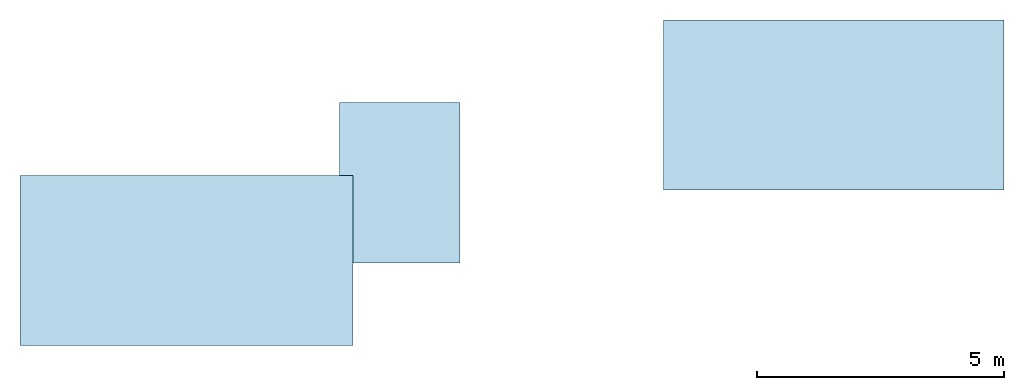
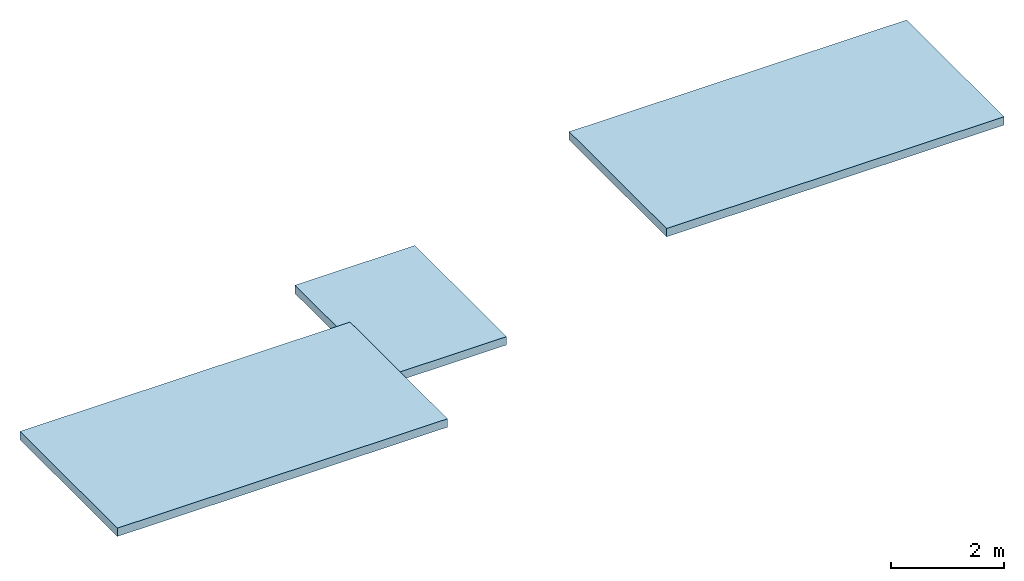
# One storey: 3 slabs.
"""IFC4 building model written with IfcOpenShell, lengths in metres."""

from ifc_helpers import new_model, si_unit, direction, frame, origin, place, context, subcontext, project, spatial, polyline, outline, extrude, material, layer, layer_set, type_object, element, save


model = new_model("IFC4")

# Units and contexts
model_context = context("Model", 3, precision=1e-05, world=origin(), true_north=direction((0.0, 1.0)))
body_context = subcontext(model_context, "Body", "Model", "MODEL_VIEW")
ifc_project = project(units=[si_unit("LENGTHUNIT", "METRE"), si_unit("AREAUNIT", "SQUARE_METRE"), si_unit("VOLUMEUNIT", "CUBIC_METRE"), si_unit("PLANEANGLEUNIT", "RADIAN"), si_unit("MASSUNIT", "GRAM", prefix="KILO")], contexts=[model_context])

# Site, building, storey
site_placement = place(None, origin())
site = spatial("IfcSite", under=ifc_project, at=site_placement, CompositionType="ELEMENT")
building_placement = place(site_placement, origin())
building = spatial("IfcBuilding", under=site, at=building_placement, Name="Kernevlak Ridge Housing Community", CompositionType="ELEMENT")
storey_placement = place(building_placement, frame((0.0, 0.0, 62.60009765625)))
storey = spatial("IfcBuildingStorey", under=building, at=storey_placement, Name="UPPER ROOF", CompositionType="ELEMENT", Elevation=62.60009765625)

# Slabs
ifc_material = material(Name="Concrete C35/45", Category="concrete")
ifc_layer = layer(ifc_material, 0.179931640625, Name="Concrete C35/45")
ifc_layer_set = layer_set([ifc_layer], Name="Concrete C35/45")
slab_type = type_object("IfcSlabType", Name="SL-09", PredefinedType="ROOF", material=ifc_layer_set)
slab_1_placement = place(storey_placement, frame((0.0, 0.0, -0.18017578125)))
element("IfcSlab", 1, at=slab_1_placement, inside=storey, type_object=slab_type, Name="Block A stair 1 head-house roof slab", PredefinedType="ROOF", context=body_context, shape_type="SweptSolid", body=[
    extrude(outline(polyline([(15.60009765625, 82.60009765625), (22.35009765625, 82.60009765625), (22.35009765625, 86.050048828125), (15.60009765625, 86.050048828125), (15.60009765625, 82.60009765625)])), origin(), (0.0, 0.0, 1.0), 0.18017578125),
])
slab_2_placement = place(storey_placement, frame((0.0, 0.0, -0.18017578125)))
element("IfcSlab", 2, at=slab_2_placement, inside=storey, type_object=slab_type, Name="Block A stair 2 head-house roof slab", PredefinedType="ROOF", context=body_context, shape_type="SweptSolid", body=[
    extrude(outline(polyline([(28.64990234375, 85.75), (35.550048828125, 85.75), (35.550048828125, 89.199951171875), (28.64990234375, 89.199951171875), (28.64990234375, 85.75)])), origin(), (0.0, 0.0, 1.0), 0.18017578125),
])
slab_3_placement = place(storey_placement, frame((0.0, 0.0, -0.18017578125)))
element("IfcSlab", 3, at=slab_3_placement, inside=storey, type_object=slab_type, Name="Block A lift LF-A1 overrun roof slab", PredefinedType="ROOF", context=body_context, shape_type="SweptSolid", body=[
    extrude(outline(polyline([(22.35009765625, 84.27490234375), (24.52490234375, 84.27490234375), (24.52490234375, 87.52490234375), (22.074951171875, 87.52490234375), (22.074951171875, 86.050048828125), (22.35009765625, 86.050048828125), (22.35009765625, 84.27490234375)])), origin(), (0.0, 0.0, 1.0), 0.18017578125),
])

save(model, "model.ifc")
